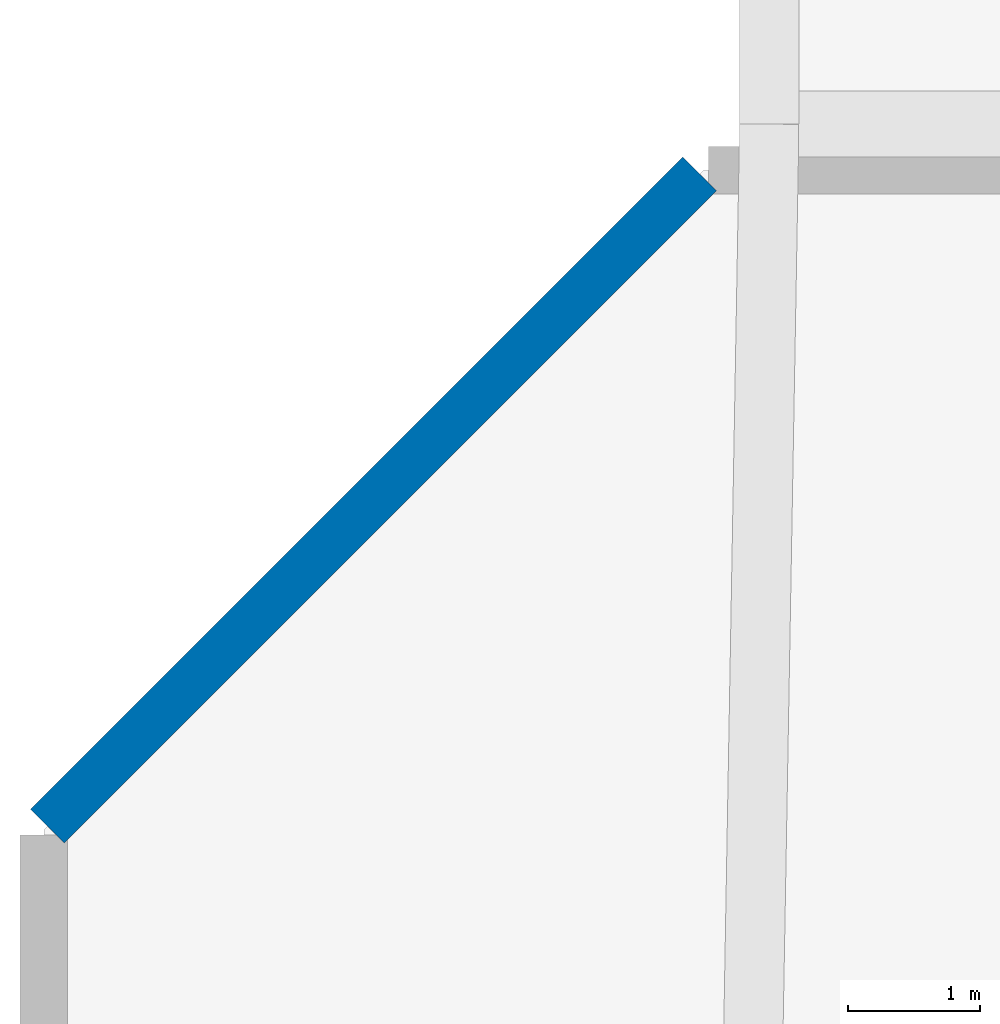
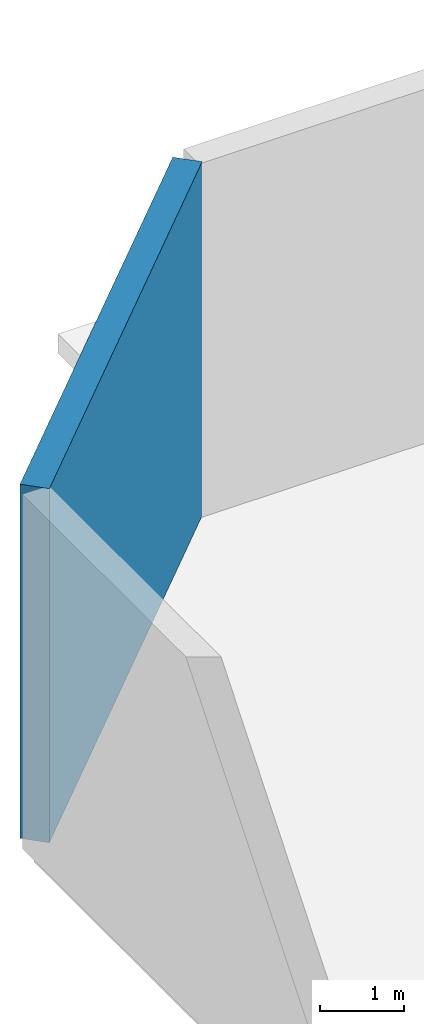
# One storey, part 15 of 21: 1 wall.
"""IFC4 building model written with IfcOpenShell, lengths in metres."""

from ifc_helpers import new_model, si_unit, direction, frame, frame_2d, origin, place, context, subcontext, project, spatial, rectangle, extrude, material, layer, layer_set, type_object, element, save


model = new_model("IFC4")

# Units and contexts
model_context = context("Model", 3, precision=1e-05, world=origin(), true_north=direction((0.0, 1.0)))
body_context = subcontext(model_context, "Body", "Model", "MODEL_VIEW")
ifc_project = project(units=[si_unit("LENGTHUNIT", "METRE"), si_unit("AREAUNIT", "SQUARE_METRE"), si_unit("VOLUMEUNIT", "CUBIC_METRE"), si_unit("PLANEANGLEUNIT", "RADIAN"), si_unit("MASSUNIT", "GRAM", prefix="KILO")], contexts=[model_context])

# Site, building, storey
site_placement = place(None, origin())
site = spatial("IfcSite", under=ifc_project, at=site_placement, CompositionType="ELEMENT")
building_placement = place(site_placement, origin())
building = spatial("IfcBuilding", under=site, at=building_placement, Name="Seokmaru Belvedere", CompositionType="ELEMENT")
storey_placement = place(building_placement, origin())
storey = spatial("IfcBuildingStorey", under=building, at=storey_placement, Name="L00", CompositionType="ELEMENT", Elevation=0.0)

# Wall
ifc_material = material(Name="Concrete C40 (40 MPa)", Category="concrete")
ifc_layer = layer(ifc_material, 0.360107421875)
ifc_layer_set = layer_set([ifc_layer], Name="Concrete C40 (40 MPa)")
wall_type = type_object("IfcWallType", Name="Podium Board-Formed Concrete Wall 360", PredefinedType="SOLIDWALL", material=ifc_layer_set)
wall_placement = place(storey_placement, frame((-72.0283203125, 31.9716796875, 0.0), z_axis=(0.0, 0.0, 1.0), x_axis=(-0.707106781187, -0.707106781187, 0.0)))
element("IfcWall", 1, at=wall_placement, inside=storey, type_object=wall_type, Name="L00 Exterior Podium Wall 06", PredefinedType="SOLIDWALL", context=body_context, shape_type="SweptSolid", body=[
    extrude(rectangle(XDim=6.990966796875, YDim=0.360107421875, at=frame_2d((3.49560546875, 0.0))), origin(), (0.0, 0.0, 1.0), 5.1201171875),
])

save(model, "model.ifc")
